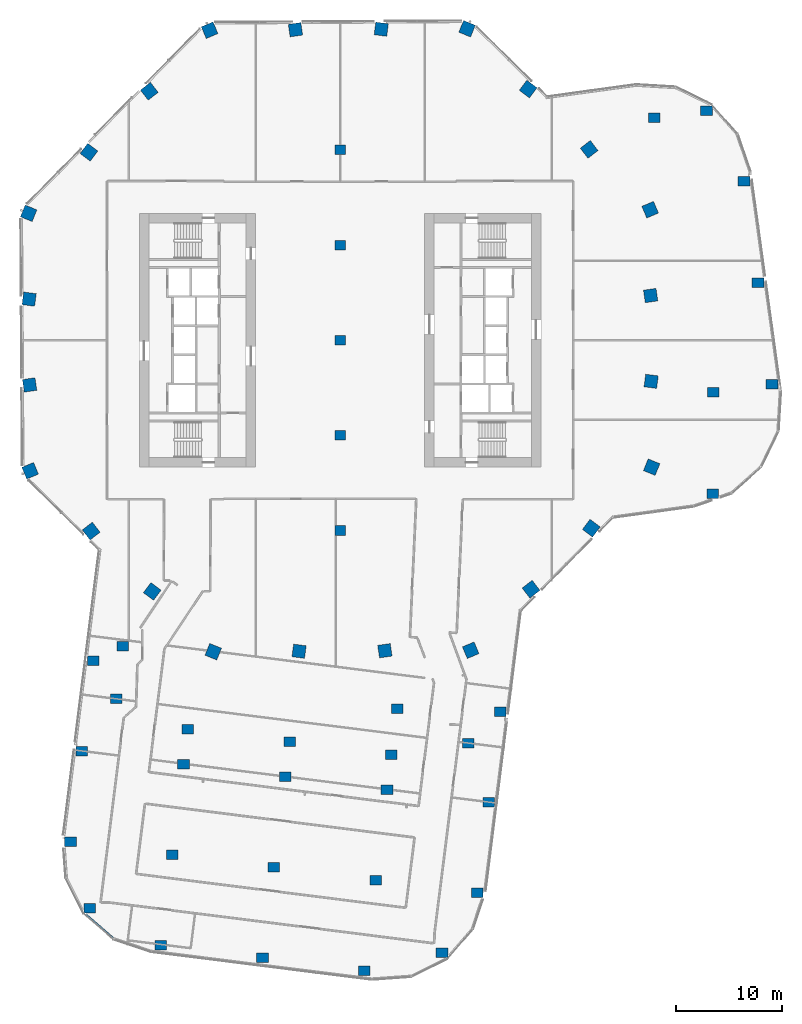
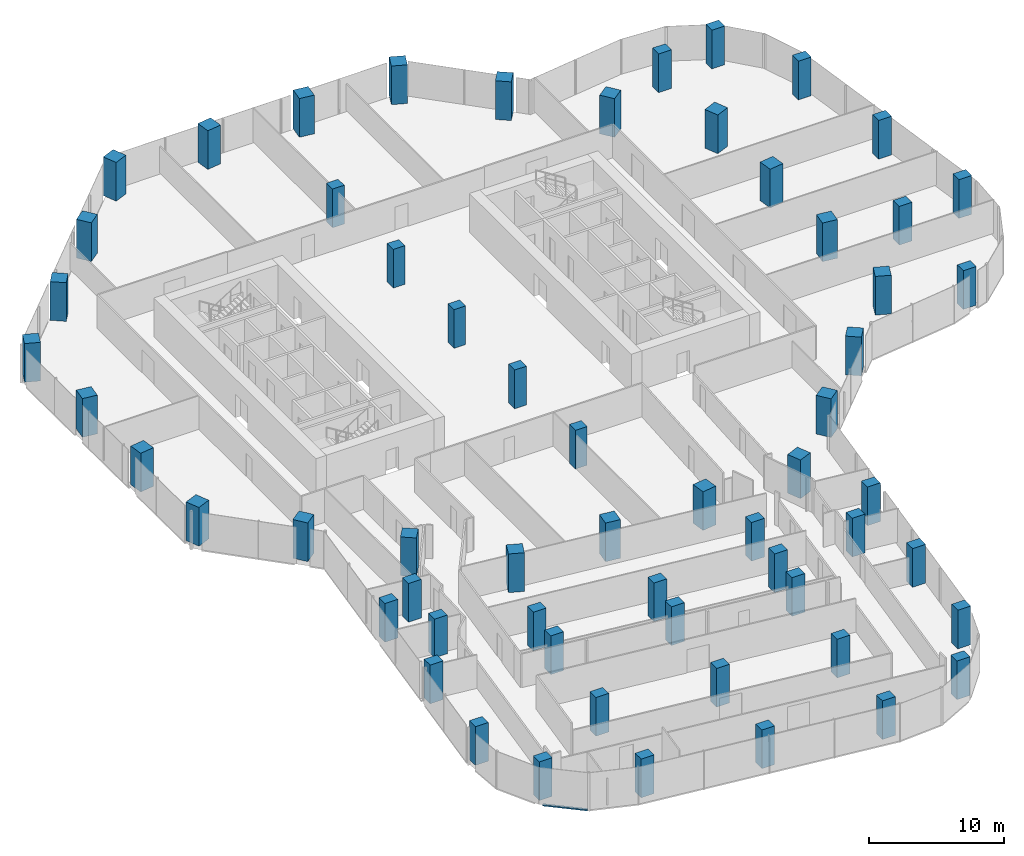
# One storey, part 1 of 27: 60 columns, 1 member, 1 element without a shape of its own.
"""IFC4 building model written with IfcOpenShell, lengths in metres."""

from ifc_helpers import new_model, si_unit, direction, frame, origin, origin_2d, place, context, subcontext, project, spatial, rectangle, extrude, material, material_profile, profile_set, type_object, element, aggregate, save


model = new_model("IFC4")

# Units and contexts
model_context = context("Model", 3, precision=1e-05, world=origin(), true_north=direction((0.0, 1.0)))
body_context = subcontext(model_context, "Body", "Model", "MODEL_VIEW")
ifc_project = project(units=[si_unit("LENGTHUNIT", "METRE"), si_unit("AREAUNIT", "SQUARE_METRE"), si_unit("VOLUMEUNIT", "CUBIC_METRE"), si_unit("PLANEANGLEUNIT", "RADIAN"), si_unit("MASSUNIT", "GRAM", prefix="KILO")], contexts=[model_context])

# Site, building, storey
site_placement = place(None, origin())
site = spatial("IfcSite", under=ifc_project, at=site_placement, CompositionType="ELEMENT")
building_placement = place(site_placement, origin())
building = spatial("IfcBuilding", under=site, at=building_placement, Name="Orlundy Tower", CompositionType="ELEMENT")
storey_placement = place(building_placement, frame((0.0, 0.0, 199.10009765625)))
storey = spatial("IfcBuildingStorey", under=building, at=storey_placement, Name="L52", CompositionType="ELEMENT", Elevation=199.10009765625)

# Columns
ifc_material_1 = material(Name="Concrete C70/85", Category="concrete")
ifc_material_profile_1 = material_profile(ifc_material_1, rectangle(XDim=1.0, YDim=0.89990234375, at=origin_2d()), Name="RC1000X900")
ifc_profile_set_1 = profile_set([ifc_material_profile_1], Name="Concrete C70/85")
column_type_1 = type_object("IfcColumnType", Name="RC COLUMN RC1000X900 C70/85", PredefinedType="COLUMN", material=ifc_profile_set_1)
for number, where, z_axis, x_axis, name in (
    (1, (0.0, -18.0, 0.0), (0.0, 0.0, 1.0), (1.0, 0.0, 0.0), "Column C-M1 L52"),
    (2, (0.0, -9.0, 0.0), (0.0, 0.0, 1.0), (1.0, 0.0, 0.0), "Column C-M2 L52"),
    (3, (0.0, 0.0, 0.0), (0.0, 0.0, 1.0), (1.0, 0.0, 0.0), "Column C-M3 L52"),
    (4, (0.0, 9.0, 0.0), (0.0, 0.0, 1.0), (1.0, 0.0, 0.0), "Column C-M4 L52"),
    (5, (0.0, 18.0, 0.0), (0.0, 0.0, 1.0), (1.0, 0.0, 0.0), "Column C-M5 L52"),
):
    element("IfcColumn", number, at=place(storey_placement, frame(where, z_axis=z_axis, x_axis=x_axis)), inside=storey, type_object=column_type_1, Name=name, PredefinedType="COLUMN", context=body_context, shape_type="SweptSolid", body=[
        extrude(rectangle(XDim=1.0, YDim=0.89990234375, at=origin_2d()), origin(), (0.0, 0.0, 1.0), 3.5),
    ])
ifc_material_2 = material(Name="Concrete C70/85", Category="concrete")
ifc_material_profile_2 = material_profile(ifc_material_2, rectangle(XDim=1.10009765625, YDim=0.89990234375, at=origin_2d()), Name="RC1100X900")
ifc_profile_set_2 = profile_set([ifc_material_profile_2], Name="Concrete C70/85")
column_type_2 = type_object("IfcColumnType", Name="RC COLUMN RC1100X900 C70/85", PredefinedType="COLUMN", material=ifc_profile_set_2)
for number, where, z_axis, x_axis, name in (
    (6, (35.258056640625, -14.512939453125, 0.0), (0.0, 0.0, 1.0), (1.0, 0.0, 0.0), "Column C-A1-1 L52"),
    (7, (40.85009765625, -4.1708984375, 0.0), (0.0, 0.0, 1.0), (1.0, 0.0, 0.0), "Column C-A2-5 L52"),
    (8, (35.302001953125, -4.93505859375, 0.0), (0.0, 0.0, 1.0), (1.0, 0.0, 0.0), "Column C-A2-6 L52"),
    (9, (39.528076171875, 5.43798828125, 0.0), (0.0, 0.0, 1.0), (1.0, 0.0, 0.0), "Column C-A3-5 L52"),
    (10, (38.2060546875, 15.048095703125, 0.0), (0.0, 0.0, 1.0), (1.0, 0.0, 0.0), "Column C-A4-5 L52"),
    (11, (34.656005859375, 21.718994140625, 0.0), (0.0, 0.0, 1.0), (1.0, 0.0, 0.0), "Column C-A5-5 L52"),
    (12, (29.702880859375, 21.0380859375, 0.0), (0.0, 0.0, 1.0), (1.0, 0.0, 0.0), "Column C-A5-6 L52"),
    (13, (-23.364990234375, -30.322021484375, 0.0), (0.0, 0.0, 1.0), (1.0, 0.0, 0.0), "Column C-B1-1 L52"),
    (14, (-24.44189453125, -38.887939453125, 0.0), (0.0, 0.0, 1.0), (1.0, 0.0, 0.0), "Column C-B1-2 L52"),
    (15, (-25.51611328125, -47.4541015625, 0.0), (0.0, 0.0, 1.0), (1.0, 0.0, 0.0), "Column C-B1-3 L52"),
    (16, (-23.68505859375, -53.758056640625, 0.0), (0.0, 0.0, 1.0), (1.0, 0.0, 0.0), "Column C-B1-5 L52"),
    (17, (-21.18994140625, -33.9150390625, 0.0), (0.0, 0.0, 1.0), (1.0, 0.0, 0.0), "Column C-B1-6 L52"),
    (18, (-20.56591796875, -28.9541015625, 0.0), (0.0, 0.0, 1.0), (1.0, 0.0, 0.0), "Column C-B1-7 L52"),
    (19, (-14.818115234375, -40.097900390625, 0.0), (0.0, 0.0, 1.0), (1.0, 0.0, 0.0), "Column C-B2-2 L52"),
    (20, (-15.89501953125, -48.6640625, 0.0), (0.0, 0.0, 1.0), (1.0, 0.0, 0.0), "Column C-B2-3 L52"),
    (21, (-16.971923828125, -57.22998046875, 0.0), (0.0, 0.0, 1.0), (1.0, 0.0, 0.0), "Column C-B2-5 L52"),
    (22, (-14.402099609375, -36.791015625, 0.0), (0.0, 0.0, 1.0), (1.0, 0.0, 0.0), "Column C-B2-6 L52"),
    (23, (-5.194091796875, -41.30810546875, 0.0), (0.0, 0.0, 1.0), (1.0, 0.0, 0.0), "Column C-B3-2 L52"),
    (24, (-6.27099609375, -49.8740234375, 0.0), (0.0, 0.0, 1.0), (1.0, 0.0, 0.0), "Column C-B3-3 L52"),
    (25, (-7.347900390625, -58.43994140625, 0.0), (0.0, 0.0, 1.0), (1.0, 0.0, 0.0), "Column C-B3-5 L52"),
    (26, (-4.778076171875, -38.0009765625, 0.0), (0.0, 0.0, 1.0), (1.0, 0.0, 0.0), "Column C-B3-6 L52"),
    (27, (4.429931640625, -42.51806640625, 0.0), (0.0, 0.0, 1.0), (1.0, 0.0, 0.0), "Column C-B4-2 L52"),
    (28, (3.35302734375, -51.083984375, 0.0), (0.0, 0.0, 1.0), (1.0, 0.0, 0.0), "Column C-B4-3 L52"),
    (29, (2.27587890625, -59.64990234375, 0.0), (0.0, 0.0, 1.0), (1.0, 0.0, 0.0), "Column C-B4-5 L52"),
    (30, (4.845947265625, -39.2109375, 0.0), (0.0, 0.0, 1.0), (1.0, 0.0, 0.0), "Column C-B4-6 L52"),
    (31, (5.39501953125, -34.844970703125, 0.0), (0.0, 0.0, 1.0), (1.0, 0.0, 0.0), "Column C-B4-7 L52"),
    (32, (15.131103515625, -35.162109375, 0.0), (0.0, 0.0, 1.0), (1.0, 0.0, 0.0), "Column C-B5-1 L52"),
    (33, (14.053955078125, -43.72802734375, 0.0), (0.0, 0.0, 1.0), (1.0, 0.0, 0.0), "Column C-B5-2 L52"),
    (34, (12.972900390625, -52.2939453125, 0.0), (0.0, 0.0, 1.0), (1.0, 0.0, 0.0), "Column C-B5-3 L52"),
    (35, (9.638916015625, -57.948974609375, 0.0), (0.0, 0.0, 1.0), (1.0, 0.0, 0.0), "Column C-B5-5 L52"),
    (36, (12.134033203125, -38.10498046875, 0.0), (0.0, 0.0, 1.0), (1.0, 0.0, 0.0), "Column C-B5-6 L52"),
):
    element("IfcColumn", number, at=place(storey_placement, frame(where, z_axis=z_axis, x_axis=x_axis)), inside=storey, type_object=column_type_2, Name=name, PredefinedType="COLUMN", context=body_context, shape_type="SweptSolid", body=[
        extrude(rectangle(XDim=1.10009765625, YDim=0.89990234375, at=origin_2d()), origin(), (0.0, 0.0, 1.0), 3.5),
    ])
ifc_material_3 = material(Name="Concrete C70/85", Category="concrete")
ifc_material_profile_3 = material_profile(ifc_material_3, rectangle(XDim=1.199951171875, YDim=1.199951171875, at=origin_2d()), Name="RC1200X1200")
ifc_profile_set_3 = profile_set([ifc_material_profile_3], Name="Concrete C70/85")
column_type_3 = type_object("IfcColumnType", Name="RC COLUMN RC1200X1200 C70/85", PredefinedType="COLUMN", material=ifc_profile_set_3)
for number, where, z_axis, x_axis, name in (
    (37, (12.007080078125, 29.469970703125, 0.0), (0.0, 0.0, 1.0), (0.377323624231, 0.926081466501, 0.0), "Column C-H01 L52"),
    (38, (17.781005859375, 23.762939453125, 0.0), (0.0, 0.0, 1.0), (0.599107447624, 0.800668636954, 0.0), "Column C-H02 L52"),
    (39, (23.554931640625, 18.055908203125, 0.0), (0.0, 0.0, 1.0), (0.793650742501, 0.60837365075, 0.0), "Column C-H03 L52"),
    (40, (29.3291015625, 12.34912109375, 0.0), (0.0, 0.0, 1.0), (0.921633032912, 0.388062562797, 0.0), "Column C-H04 L52"),
    (41, (29.3759765625, 4.22998046875, 0.0), (0.0, 0.0, 1.0), (0.989791161548, 0.142525283799, 0.0), "Column C-H05 L52"),
    (42, (29.423095703125, -3.887939453125, 0.0), (0.0, 0.0, 1.0), (0.991380955857, -0.131010687976, 0.0), "Column C-H06 L52"),
    (43, (29.469970703125, -12.007080078125, 0.0), (0.0, 0.0, 1.0), (0.926081466501, -0.377323624231, 0.0), "Column C-H07 L52"),
    (44, (23.762939453125, -17.781005859375, 0.0), (0.0, 0.0, 1.0), (0.800668636954, -0.599107447624, 0.0), "Column C-H08 L52"),
    (45, (18.055908203125, -23.554931640625, 0.0), (0.0, 0.0, 1.0), (0.60837365075, -0.793650742501, 0.0), "Column C-H09 L52"),
    (46, (12.34912109375, -29.3291015625, 0.0), (0.0, 0.0, 1.0), (0.388062562797, -0.921633032912, 0.0), "Column C-H10 L52"),
    (47, (4.22998046875, -29.3759765625, 0.0), (0.0, 0.0, 1.0), (0.142525283799, -0.989791161548, 0.0), "Column C-H11 L52"),
    (48, (-3.887939453125, -29.423095703125, 0.0), (0.0, 0.0, 1.0), (-0.131010687976, -0.991380955857, 0.0), "Column C-H12 L52"),
    (49, (-12.007080078125, -29.469970703125, 0.0), (0.0, 0.0, 1.0), (-0.377323624231, -0.926081466501, 0.0), "Column C-H13 L52"),
    (50, (-17.781005859375, -23.762939453125, 0.0), (0.0, 0.0, 1.0), (-0.599107447624, -0.800668636954, 0.0), "Column C-H14 L52"),
    (51, (-23.554931640625, -18.055908203125, 0.0), (0.0, 0.0, 1.0), (-0.793650742501, -0.60837365075, 0.0), "Column C-H15 L52"),
    (52, (-29.3291015625, -12.34912109375, 0.0), (0.0, 0.0, 1.0), (-0.921633032912, -0.388062562797, 0.0), "Column C-H16 L52"),
    (53, (-29.3759765625, -4.22998046875, 0.0), (0.0, 0.0, 1.0), (-0.989791161548, -0.142525283799, 0.0), "Column C-H17 L52"),
    (54, (-29.423095703125, 3.887939453125, 0.0), (0.0, 0.0, 1.0), (-0.991380955857, 0.131010687976, 0.0), "Column C-H18 L52"),
    (55, (-29.469970703125, 12.007080078125, 0.0), (0.0, 0.0, 1.0), (-0.926081466501, 0.377323624231, 0.0), "Column C-H19 L52"),
    (56, (-23.762939453125, 17.781005859375, 0.0), (0.0, 0.0, 1.0), (-0.800668636954, 0.599107447624, 0.0), "Column C-H20 L52"),
    (57, (-18.055908203125, 23.554931640625, 0.0), (0.0, 0.0, 1.0), (-0.60837365075, 0.793650742501, 0.0), "Column C-H21 L52"),
    (58, (-12.34912109375, 29.3291015625, 0.0), (0.0, 0.0, 1.0), (-0.388062562797, 0.921633032912, 0.0), "Column C-H22 L52"),
    (59, (-4.22998046875, 29.3759765625, 0.0), (0.0, 0.0, 1.0), (-0.142525283799, 0.989791161548, 0.0), "Column C-H23 L52"),
    (60, (3.887939453125, 29.423095703125, 0.0), (0.0, 0.0, 1.0), (0.131010687976, 0.991380955857, 0.0), "Column C-H24 L52"),
):
    element("IfcColumn", number, at=place(storey_placement, frame(where, z_axis=z_axis, x_axis=x_axis)), inside=storey, type_object=column_type_3, Name=name, PredefinedType="COLUMN", context=body_context, shape_type="SweptSolid", body=[
        extrude(rectangle(XDim=1.199951171875, YDim=1.199951171875, at=origin_2d()), origin(), (0.0, 0.0, 1.0), 3.5),
    ])

# Curtain wall, member
ifc_material_4 = material(Name="Aluminium bronze anodised", Category="aluminium")
curtain_wall_type = type_object("IfcCurtainWallType", Name="CW1 wall", PredefinedType="NOTDEFINED", material=ifc_material_4)
curtain_wall_placement = place(storey_placement, origin())
curtain_wall = element("IfcCurtainWall", 61, at=curtain_wall_placement, inside=storey, type_object=curtain_wall_type, Name="CW1 run 025", PredefinedType="NOTDEFINED")
ifc_material_5 = material(Name="Aluminium bronze anodised", Category="aluminium")
ifc_material_profile_4 = material_profile(ifc_material_5, rectangle(XDim=0.179931640625, YDim=0.1201171875, at=origin_2d()), Name="CW1 transom 180x120")
ifc_profile_set_4 = profile_set([ifc_material_profile_4], Name="Aluminium bronze anodised")
member_type = type_object("IfcMemberType", Name="CW1 transom 180x120", PredefinedType="USERDEFINED", material=ifc_profile_set_4)
member_placement = place(storey_placement, frame((-21.471435546875, -56.57470703125, -0.360107421875), z_axis=(-0.755629576233, 0.654999193527, 0.0), x_axis=(-0.654999193527, -0.755629576233, 0.0)))
member = element("IfcMember", 62, at=member_placement, type_object=member_type, Name="CW1 transom", ObjectType="TRANSOM", PredefinedType="USERDEFINED", context=body_context, shape_type="SweptSolid", body=[
    extrude(rectangle(XDim=0.179931640625, YDim=0.1201171875, at=origin_2d()), origin(), (0.0, 0.0, 1.0), 3.384521484375),
])
aggregate(curtain_wall, [member])

save(model, "model.ifc")
